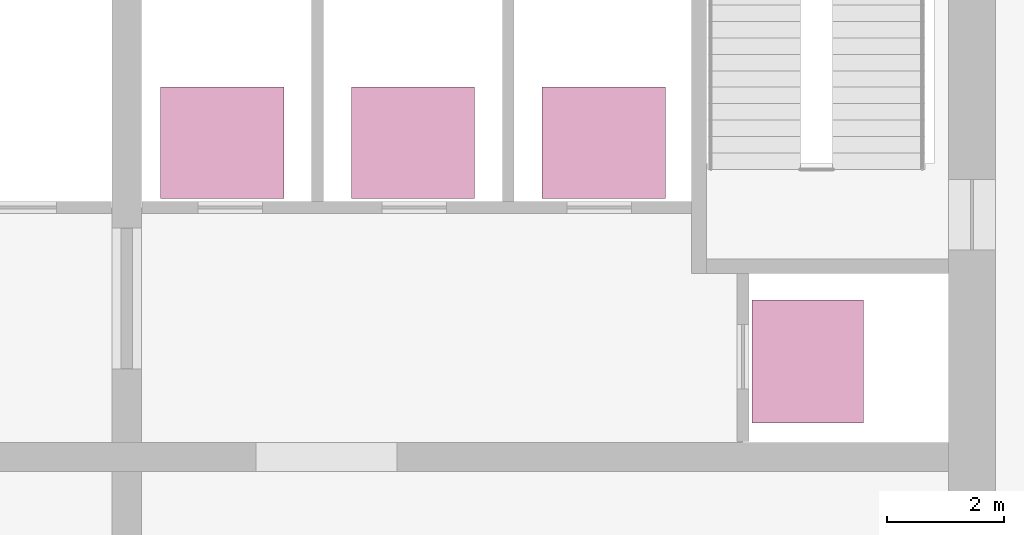
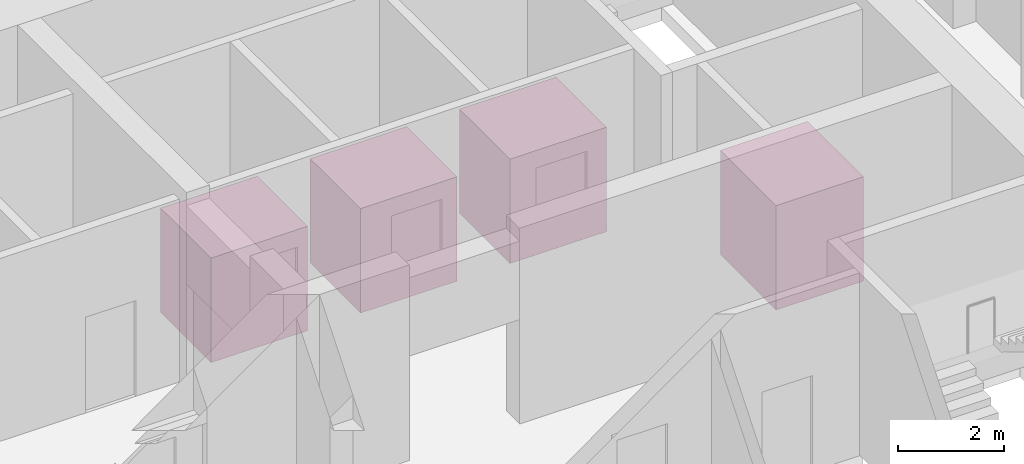
# One storey, part 8 of 8: 4 transport elements.
"""IFC4 building model written with IfcOpenShell, lengths in metres."""

from ifc_helpers import new_model, si_unit, direction, frame, origin, origin_2d, place, context, subcontext, project, spatial, rectangle, extrude, material, type_object, element, save


model = new_model("IFC4")

# Units and contexts
model_context = context("Model", 3, precision=1e-05, world=origin(), true_north=direction((0.0, 1.0)))
body_context = subcontext(model_context, "Body", "Model", "MODEL_VIEW")
ifc_project = project(units=[si_unit("LENGTHUNIT", "METRE"), si_unit("AREAUNIT", "SQUARE_METRE"), si_unit("VOLUMEUNIT", "CUBIC_METRE"), si_unit("PLANEANGLEUNIT", "RADIAN"), si_unit("MASSUNIT", "GRAM", prefix="KILO")], contexts=[model_context])

# Site, building, storey
site_placement = place(None, origin())
site = spatial("IfcSite", under=ifc_project, at=site_placement, CompositionType="ELEMENT")
building_placement = place(site_placement, origin())
building = spatial("IfcBuilding", under=site, at=building_placement, Name="Pilkhan Gate Tower", CompositionType="ELEMENT")
storey_placement = place(building_placement, frame((0.0, 0.0, 143.199951171875)))
storey = spatial("IfcBuildingStorey", under=building, at=storey_placement, Name="L36", CompositionType="ELEMENT", Elevation=143.199951171875)

# Transport elements
ifc_material = material(Name="Steel lift car, stainless steel lining", Category="steel")
transport_element_type = type_object("IfcTransportElementType", Name="High-rise passenger lift PL2", PredefinedType="ELEVATOR", material=ifc_material)
for number, where, z_axis, x_axis, name in (
    (1, (76.625, 87.85009765625, 0.0), (0.0, 0.0, 1.0), (1.0, 0.0, 0.0), "Passenger lift HR1"),
    (2, (79.875, 87.85009765625, 0.0), (0.0, 0.0, 1.0), (1.0, 0.0, 0.0), "Passenger lift HR2"),
    (3, (83.125, 87.85009765625, 0.0), (0.0, 0.0, 1.0), (1.0, 0.0, 0.0), "Passenger lift HR3"),
):
    element("IfcTransportElement", number, at=place(storey_placement, frame(where, z_axis=z_axis, x_axis=x_axis)), inside=storey, type_object=transport_element_type, Name=name, PredefinedType="ELEVATOR", context=body_context, shape_type="SweptSolid", body=[
        extrude(rectangle(XDim=2.10009765625, YDim=1.89990234375, at=origin_2d()), origin(), (0.0, 0.0, 1.0), 2.39990234375),
    ])
transport_element_placement = place(storey_placement, frame((86.60009765625, 84.125, 0.0), z_axis=(0.0, 0.0, 1.0), x_axis=(1.0, 0.0, 0.0)))
element("IfcTransportElement", 4, at=transport_element_placement, inside=storey, type_object=transport_element_type, Name="Passenger lift HR4", PredefinedType="ELEVATOR", context=body_context, shape_type="SweptSolid", body=[
    extrude(rectangle(XDim=1.89990234375, YDim=2.10009765625, at=origin_2d()), origin(), (0.0, 0.0, 1.0), 2.39990234375),
])

save(model, "model.ifc")
